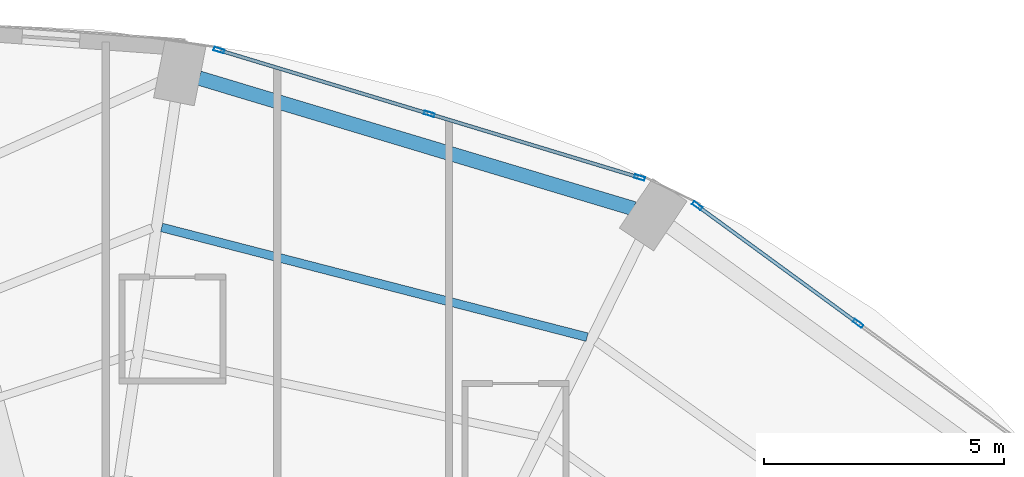
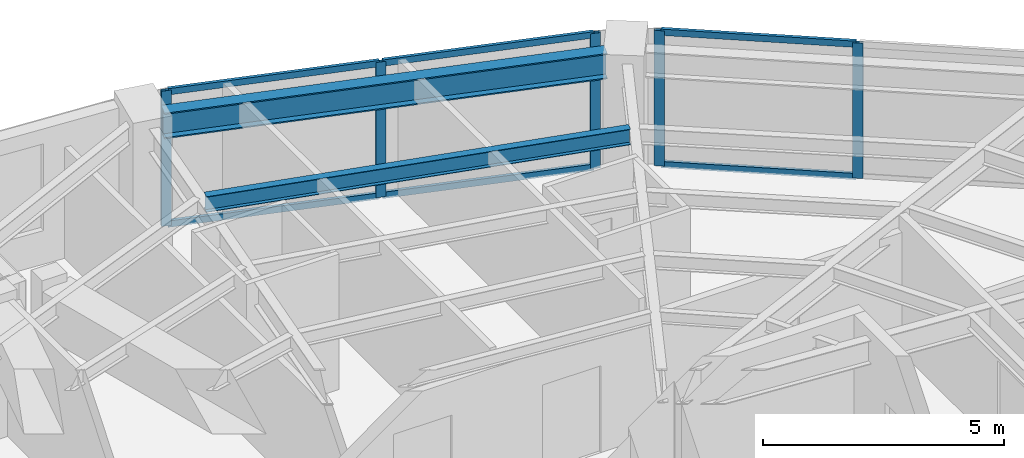
# One storey, part 17 of 24: 11 members, 2 beams, 2 elements without a shape of their own.
"""IFC4 building model written with IfcOpenShell, lengths in metres."""

from ifc_helpers import new_model, si_unit, direction, frame, origin, origin_2d, place, context, subcontext, project, spatial, hollow_rectangle, i_section, extrude, material, layer, layer_set, material_profile, profile_set, type_object, element, aggregate, save


model = new_model("IFC4")

# Units and contexts
model_context = context("Model", 3, precision=1e-05, world=origin(), true_north=direction((0.0, 1.0)))
body_context = subcontext(model_context, "Body", "Model", "MODEL_VIEW")
ifc_project = project(units=[si_unit("LENGTHUNIT", "METRE"), si_unit("AREAUNIT", "SQUARE_METRE"), si_unit("VOLUMEUNIT", "CUBIC_METRE"), si_unit("PLANEANGLEUNIT", "RADIAN"), si_unit("MASSUNIT", "GRAM", prefix="KILO")], contexts=[model_context])

# Site, building, storey
site_placement = place(None, origin())
site = spatial("IfcSite", under=ifc_project, at=site_placement, CompositionType="ELEMENT")
building_placement = place(site_placement, origin())
building = spatial("IfcBuilding", under=site, at=building_placement, Name="Lazwardi Medical Tower", CompositionType="ELEMENT")
storey_placement = place(building_placement, frame((0.0, 0.0, 54.384033203125)))
storey = spatial("IfcBuildingStorey", under=building, at=storey_placement, Name="L13", CompositionType="ELEMENT", Elevation=54.384033203125)

# Beams
ifc_material_1 = material(Name="Steel S355", Category="steel")
ifc_material_profile_1 = material_profile(ifc_material_1, i_section(OverallWidth=0.300048828125, OverallDepth=0.64990234375, WebThickness=0.01611328125, FlangeThickness=0.031005859375, at=origin_2d()), Name="HEB 650")
ifc_profile_set_1 = profile_set([ifc_material_profile_1], Name="Steel S355")
beam_type_1 = type_object("IfcBeamType", Name="BM-RB-Z1", PredefinedType="BEAM", material=ifc_profile_set_1)
beam_1_placement = place(storey_placement, frame((50.77880859375, 47.0048828125, 3.10302734375), z_axis=(-0.957695289269, 0.287784177662, 0.0), x_axis=(-0.287784177662, -0.957695289269, 0.0)))
element("IfcBeam", 1, at=beam_1_placement, inside=storey, type_object=beam_type_1, Name="Ring beam RB-02 B07 L13", PredefinedType="BEAM", context=body_context, shape_type="SweptSolid", body=[
    extrude(i_section(OverallWidth=0.300048828125, OverallDepth=0.64990234375, WebThickness=0.01611328125, FlangeThickness=0.031005859375, at=origin_2d()), origin(), (0.0, 0.0, 1.0), 9.445556640625),
])
ifc_material_profile_2 = material_profile(ifc_material_1, i_section(OverallWidth=0.179931640625, OverallDepth=0.39990234375, WebThickness=0.008544921875, FlangeThickness=0.013427734375, at=origin_2d()), Name="IPE 400")
ifc_profile_set_2 = profile_set([ifc_material_profile_2], Name="Steel S355")
beam_type_2 = type_object("IfcBeamType", Name="BM-SJ-01", PredefinedType="JOIST", material=ifc_profile_set_2)
beam_2_placement = place(storey_placement, frame((49.804931640625, 44.333251953125, 3.22802734375), z_axis=(-0.968316918308, 0.249724539682, 0.0), x_axis=(-0.249724539682, -0.968316918308, 0.0)))
element("IfcBeam", 2, at=beam_2_placement, inside=storey, type_object=beam_type_2, Name="Secondary joist SJ-01 R1 B07 L13", PredefinedType="JOIST", context=body_context, shape_type="SweptSolid", body=[
    extrude(i_section(OverallWidth=0.179931640625, OverallDepth=0.39990234375, WebThickness=0.008544921875, FlangeThickness=0.013427734375, at=origin_2d()), origin(), (0.0, 0.0, 1.0), 9.140869140625),
])

# Curtain wall, members
ifc_material_2 = material(Name="Anodised bronze aluminium and solar control glazing", Category="aluminium")
ifc_layer = layer(ifc_material_2, 0.199951171875)
ifc_layer_set = layer_set([ifc_layer], Name="Anodised bronze aluminium and solar control glazing")
curtain_wall_type = type_object("IfcCurtainWallType", Name="CW-SYS-02", PredefinedType="NOTDEFINED", material=ifc_layer_set)
curtain_wall_1_placement = place(storey_placement, origin())
curtain_wall_1 = element("IfcCurtainWall", 3, at=curtain_wall_1_placement, inside=storey, type_object=curtain_wall_type, Name="L13 Unitised bronze curtain wall CW-02", PredefinedType="NOTDEFINED")
ifc_material_3 = material(Name="Anodised bronze aluminium", Category="aluminium")
ifc_material_profile_3 = material_profile(ifc_material_3, hollow_rectangle(XDim=0.074951171875, YDim=0.219970703125, WallThickness=0.00390625, at=origin_2d()), Name="ALU-MULLION 220x75x4")
ifc_profile_set_3 = profile_set([ifc_material_profile_3], Name="Anodised bronze aluminium")
member_type_1 = type_object("IfcMemberType", Name="CW-MUL-01", PredefinedType="MULLION", material=ifc_profile_set_3)
member_1_placement = place(storey_placement, frame((55.4443359375, 44.619384765625, 0.0), z_axis=(0.0, 0.0, 1.0), x_axis=(-0.590289307341, -0.807191757663, 0.0)))
member_1 = element("IfcMember", 4, at=member_1_placement, type_object=member_type_1, Name="CW-02 mullion 2", PredefinedType="MULLION", context=body_context, shape_type="SweptSolid", body=[
    extrude(hollow_rectangle(XDim=0.074951171875, YDim=0.219970703125, WallThickness=0.00390625, at=origin_2d()), origin(), (0.0, 0.0, 1.0), 3.427978515625),
])
member_2_placement = place(storey_placement, frame((52.0986328125, 47.066162109375, 0.0), z_axis=(0.0, 0.0, 1.0), x_axis=(-0.590289307341, -0.807191757663, 0.0)))
member_2 = element("IfcMember", 5, at=member_2_placement, type_object=member_type_1, Name="CW-02 mullion 3", PredefinedType="MULLION", context=body_context, shape_type="SweptSolid", body=[
    extrude(hollow_rectangle(XDim=0.074951171875, YDim=0.219970703125, WallThickness=0.00390625, at=origin_2d()), origin(), (0.0, 0.0, 1.0), 3.427978515625),
])

curtain_wall_2_placement = place(storey_placement, origin())
curtain_wall_2 = element("IfcCurtainWall", 6, at=curtain_wall_2_placement, inside=storey, type_object=curtain_wall_type, Name="L13 Unitised bronze curtain wall CW-02", PredefinedType="NOTDEFINED")
member_3_placement = place(storey_placement, frame((50.8984375, 47.653076171875, 0.0), z_axis=(0.0, 0.0, 1.0), x_axis=(-0.2898956909, -0.957058247129, 0.0)))
member_3 = element("IfcMember", 7, at=member_3_placement, type_object=member_type_1, Name="CW-02 mullion 1", PredefinedType="MULLION", context=body_context, shape_type="SweptSolid", body=[
    extrude(hollow_rectangle(XDim=0.074951171875, YDim=0.219970703125, WallThickness=0.00390625, at=origin_2d()), origin(), (0.0, 0.0, 1.0), 3.427978515625),
])
member_4_placement = place(storey_placement, frame((46.523193359375, 48.978515625, 0.0), z_axis=(0.0, 0.0, 1.0), x_axis=(-0.2898956909, -0.957058247129, 0.0)))
member_4 = element("IfcMember", 8, at=member_4_placement, type_object=member_type_1, Name="CW-02 mullion 2", PredefinedType="MULLION", context=body_context, shape_type="SweptSolid", body=[
    extrude(hollow_rectangle(XDim=0.074951171875, YDim=0.219970703125, WallThickness=0.00390625, at=origin_2d()), origin(), (0.0, 0.0, 1.0), 3.427978515625),
])
member_5_placement = place(storey_placement, frame((42.14794921875, 50.3037109375, 0.0), z_axis=(0.0, 0.0, 1.0), x_axis=(-0.2898956909, -0.957058247129, 0.0)))
member_5 = element("IfcMember", 9, at=member_5_placement, type_object=member_type_1, Name="CW-02 mullion 3", PredefinedType="MULLION", context=body_context, shape_type="SweptSolid", body=[
    extrude(hollow_rectangle(XDim=0.074951171875, YDim=0.219970703125, WallThickness=0.00390625, at=origin_2d()), origin(), (0.0, 0.0, 1.0), 3.427978515625),
])

# Member
ifc_material_profile_4 = material_profile(ifc_material_3, hollow_rectangle(XDim=0.074951171875, YDim=0.159912109375, WallThickness=0.00390625, at=origin_2d()), Name="ALU-TRANSOM 160x75x4")
ifc_profile_set_4 = profile_set([ifc_material_profile_4], Name="Anodised bronze aluminium")
member_type_2 = type_object("IfcMemberType", Name="CW-TRN-01", PredefinedType="USERDEFINED", material=ifc_profile_set_4)
member_6_placement = place(storey_placement, frame((55.4140625, 44.641357421875, 0.037353515625), z_axis=(-0.807169053975, 0.590320352271, 0.0), x_axis=(-0.590320352271, -0.807169053975, 0.0)))
member_6 = element("IfcMember", 10, at=member_6_placement, type_object=member_type_2, Name="CW-02 transom 2.1", ObjectType="TRANSOM", PredefinedType="USERDEFINED", context=body_context, shape_type="SweptSolid", body=[
    extrude(hollow_rectangle(XDim=0.074951171875, YDim=0.159912109375, WallThickness=0.00390625, at=origin_2d()), origin(), (0.0, 0.0, 1.0), 4.070068359375),
])

member_7_placement = place(storey_placement, frame((55.4140625, 44.641357421875, 3.390380859375), z_axis=(-0.807169053975, 0.590320352271, 0.0), x_axis=(-0.590320352271, -0.807169053975, 0.0)))
member_7 = element("IfcMember", 11, at=member_7_placement, type_object=member_type_2, Name="CW-02 transom 2.2", ObjectType="TRANSOM", PredefinedType="USERDEFINED", context=body_context, shape_type="SweptSolid", body=[
    extrude(hollow_rectangle(XDim=0.074951171875, YDim=0.159912109375, WallThickness=0.00390625, at=origin_2d()), origin(), (0.0, 0.0, 1.0), 4.070068359375),
])

aggregate(curtain_wall_1, [member_1, member_2, member_6, member_7])

member_8_placement = place(storey_placement, frame((50.862548828125, 47.6640625, 0.037353515625), z_axis=(-0.957062297904, 0.289882317383, 0.0), x_axis=(-0.289882317383, -0.957062297904, 0.0)))
member_8 = element("IfcMember", 12, at=member_8_placement, type_object=member_type_2, Name="CW-02 transom 1.1", ObjectType="TRANSOM", PredefinedType="USERDEFINED", context=body_context, shape_type="SweptSolid", body=[
    extrude(hollow_rectangle(XDim=0.074951171875, YDim=0.159912109375, WallThickness=0.00390625, at=origin_2d()), origin(), (0.0, 0.0, 1.0), 4.49658203125),
])

member_9_placement = place(storey_placement, frame((50.862548828125, 47.6640625, 3.390380859375), z_axis=(-0.957062297904, 0.289882317383, 0.0), x_axis=(-0.289882317383, -0.957062297904, 0.0)))
member_9 = element("IfcMember", 13, at=member_9_placement, type_object=member_type_2, Name="CW-02 transom 1.2", ObjectType="TRANSOM", PredefinedType="USERDEFINED", context=body_context, shape_type="SweptSolid", body=[
    extrude(hollow_rectangle(XDim=0.074951171875, YDim=0.159912109375, WallThickness=0.00390625, at=origin_2d()), origin(), (0.0, 0.0, 1.0), 4.49658203125),
])

member_10_placement = place(storey_placement, frame((46.4873046875, 48.9892578125, 0.037353515625), z_axis=(-0.957047233423, 0.28993204893, 0.0), x_axis=(-0.28993204893, -0.957047233423, 0.0)))
member_10 = element("IfcMember", 14, at=member_10_placement, type_object=member_type_2, Name="CW-02 transom 2.1", ObjectType="TRANSOM", PredefinedType="USERDEFINED", context=body_context, shape_type="SweptSolid", body=[
    extrude(hollow_rectangle(XDim=0.074951171875, YDim=0.159912109375, WallThickness=0.00390625, at=origin_2d()), origin(), (0.0, 0.0, 1.0), 4.49658203125),
])

member_11_placement = place(storey_placement, frame((46.4873046875, 48.9892578125, 3.390380859375), z_axis=(-0.957047233423, 0.28993204893, 0.0), x_axis=(-0.28993204893, -0.957047233423, 0.0)))
member_11 = element("IfcMember", 15, at=member_11_placement, type_object=member_type_2, Name="CW-02 transom 2.2", ObjectType="TRANSOM", PredefinedType="USERDEFINED", context=body_context, shape_type="SweptSolid", body=[
    extrude(hollow_rectangle(XDim=0.074951171875, YDim=0.159912109375, WallThickness=0.00390625, at=origin_2d()), origin(), (0.0, 0.0, 1.0), 4.49658203125),
])

aggregate(curtain_wall_2, [member_3, member_4, member_5, member_8, member_9, member_10, member_11])

save(model, "model.ifc")
